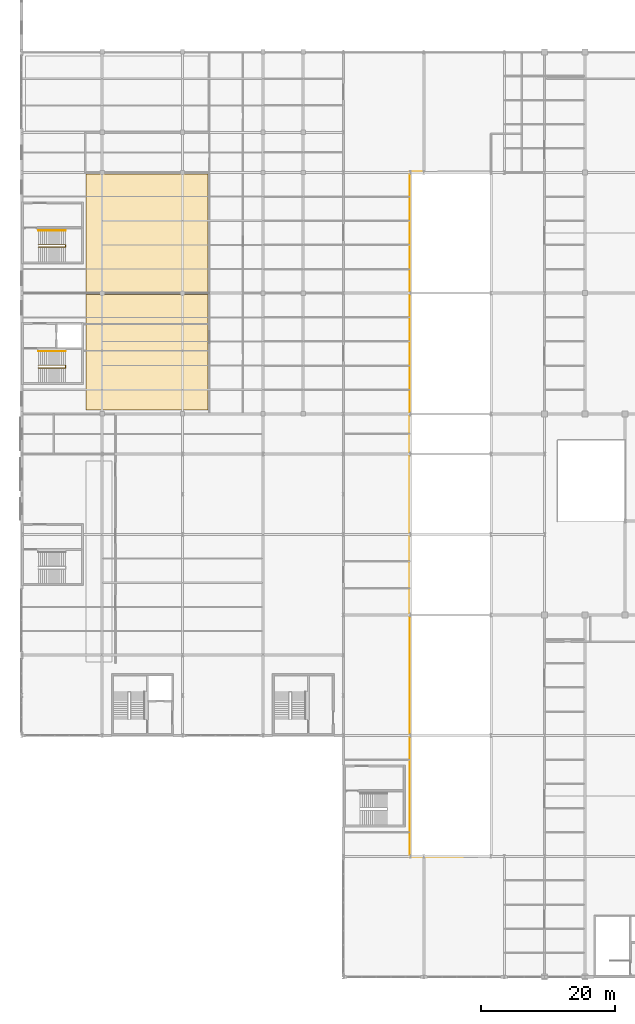
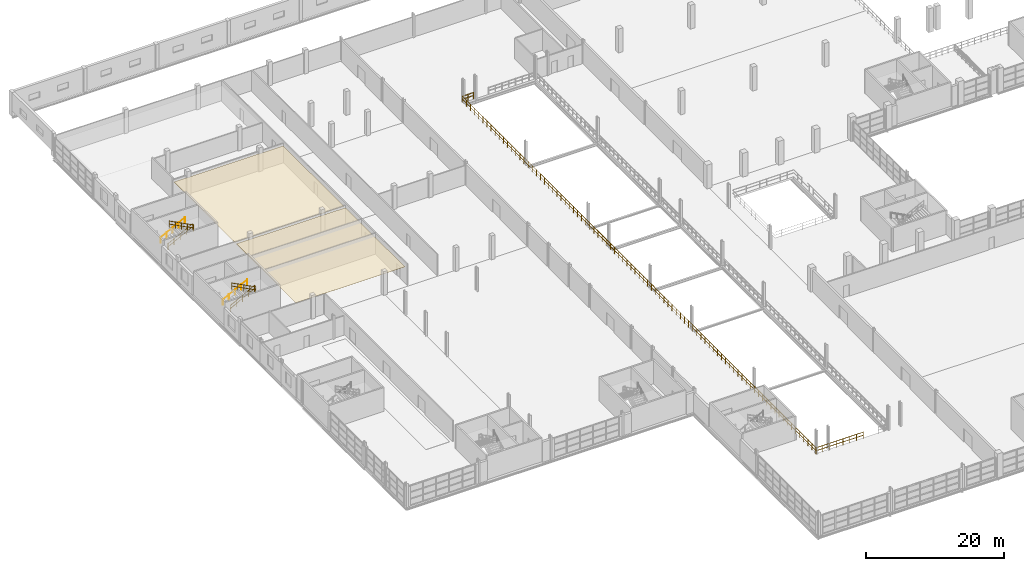
# One storey, part 154 of 158: 5 railings, 2 coverings.
"""IFC4 building model written with IfcOpenShell, lengths in metres."""

from ifc_helpers import new_model, si_unit, direction, frame, origin, origin_2d, place, context, subcontext, project, spatial, polyline, circle, outline, extrude, material, layer, layer_set, type_object, element, save


model = new_model("IFC4")

# Units and contexts
model_context = context("Model", 3, precision=1e-05, world=origin(), true_north=direction((0.0, 1.0)))
body_context = subcontext(model_context, "Body", "Model", "MODEL_VIEW")
ifc_project = project(units=[si_unit("LENGTHUNIT", "METRE"), si_unit("AREAUNIT", "SQUARE_METRE"), si_unit("VOLUMEUNIT", "CUBIC_METRE"), si_unit("PLANEANGLEUNIT", "RADIAN"), si_unit("MASSUNIT", "GRAM", prefix="KILO")], contexts=[model_context])

# Site, building, storey
site_placement = place(None, origin())
site = spatial("IfcSite", under=ifc_project, at=site_placement, CompositionType="ELEMENT")
building_placement = place(site_placement, origin())
building = spatial("IfcBuilding", under=site, at=building_placement, Name="Zilviju Railside Exhibition Hall", CompositionType="ELEMENT")
storey_placement = place(building_placement, frame((0.0, 0.0, 4.199951171875)))
storey = spatial("IfcBuildingStorey", under=building, at=storey_placement, Name="L02", CompositionType="ELEMENT", Elevation=4.199951171875)

# Coverings
ifc_material_1 = material(Name="Perforated gypsum and mineral-wool acoustic ceiling", Category="masonry")
ifc_layer = layer(ifc_material_1, 0.030029296875)
ifc_layer_set = layer_set([ifc_layer], Name="Perforated gypsum and mineral-wool acoustic ceiling")
covering_type = type_object("IfcCoveringType", Name="COV-CEIL-ACOUSTIC", PredefinedType="CEILING", material=ifc_layer_set)
covering_1_placement = place(storey_placement, frame((0.0, 0.0, 3.050048828125)))
element("IfcCovering", 1, at=covering_1_placement, inside=storey, type_object=covering_type, Name="Meeting Room 201 Acoustic Ceiling", PredefinedType="CEILING", context=body_context, shape_type="SweptSolid", body=[
    extrude(outline(polyline([(9.60009765625, 84.60009765625), (27.800048828125, 84.60009765625), (27.800048828125, 101.800048828125), (9.60009765625, 101.800048828125), (9.60009765625, 84.60009765625)])), origin(), (0.0, 0.0, 1.0), 0.030029296875),
])
covering_2_placement = place(storey_placement, frame((0.0, 0.0, 3.050048828125)))
element("IfcCovering", 2, at=covering_2_placement, inside=storey, type_object=covering_type, Name="Meeting Room 202 Acoustic Ceiling", PredefinedType="CEILING", context=body_context, shape_type="SweptSolid", body=[
    extrude(outline(polyline([(9.60009765625, 102.199951171875), (27.800048828125, 102.199951171875), (27.800048828125, 119.800048828125), (9.60009765625, 119.800048828125), (9.60009765625, 102.199951171875)])), origin(), (0.0, 0.0, 1.0), 0.030029296875),
])

# Railings
ifc_material_2 = material(Name="Brushed bronze tubular stair handrail", Category="steel")
railing_type_1 = type_object("IfcRailingType", Name="RL-HANDRAIL-920", PredefinedType="HANDRAIL", material=ifc_material_2)
for number, where, name in (
    (3, (2.5, 93.340087890625, 0.0), "Core C15 Organisers Wing South Stair Wall Handrail L02"),
    (4, (2.5, 111.360107421875, 0.0), "Core C16 Organisers Wing North Stair Wall Handrail L02"),
):
    element("IfcRailing", number, at=place(storey_placement, frame(where)), inside=storey, type_object=railing_type_1, Name=name, PredefinedType="HANDRAIL", context=body_context, shape_type="SweptSolid", body=[
        extrude(circle(Radius=0.02392578125, at=origin_2d()), frame((0.019287109375, 0.0, 0.906005859375), z_axis=(0.88681272381, 0.0, 0.462128978628), x_axis=(0.0, 1.0, 0.0)), (0.0, 0.0, 1.0), 4.500732421875),
        extrude(circle(Radius=0.02099609375, at=origin_2d()), origin(), (0.0, 0.0, 1.0), 0.919921875),
        extrude(circle(Radius=0.02099609375, at=origin_2d()), frame((1.007568359375, 0.0, 0.52490234375)), (0.0, 0.0, 1.0), 0.919921875),
        extrude(circle(Radius=0.02099609375, at=origin_2d()), frame((2.01513671875, 0.0, 1.050048828125)), (0.0, 0.0, 1.0), 0.919921875),
        extrude(circle(Radius=0.02099609375, at=origin_2d()), frame((3.0224609375, 0.0, 1.5751953125)), (0.0, 0.0, 1.0), 0.919921875),
        extrude(circle(Radius=0.02099609375, at=origin_2d()), frame((4.030029296875, 0.0, 2.10009765625)), (0.0, 0.0, 1.0), 0.919921875),
    ])
ifc_material_3 = material(Name="Wrought-iron and laminated-glass atrium guardrail", Category="glass")
railing_type_2 = type_object("IfcRailingType", Name="RL-INT-GUARD-1120", PredefinedType="GUARDRAIL", material=ifc_material_3)
railing_1_placement = place(storey_placement, frame((2.5, 91.25, 0.0)))
element("IfcRailing", 5, at=railing_1_placement, inside=storey, type_object=railing_type_2, Name="Core C15 Organisers Wing South Stair Well Guardrail L02", PredefinedType="GUARDRAIL", context=body_context, shape_type="SweptSolid", body=[
    extrude(circle(Radius=0.02392578125, at=origin_2d()), frame((0.019287109375, 0.0, 1.106201171875), z_axis=(0.88681272381, 0.0, 0.462128978628), x_axis=(0.0, 1.0, 0.0)), (0.0, 0.0, 1.0), 4.500732421875),
    extrude(circle(Radius=0.02392578125, at=origin_2d()), frame((0.019287109375, 0.0, 0.570068359375), z_axis=(0.88681272381, 0.0, 0.462128978628), x_axis=(0.0, 1.0, 0.0)), (0.0, 0.0, 1.0), 4.500732421875),
    extrude(circle(Radius=0.02392578125, at=origin_2d()), frame((4.030029296875, -0.021728515625, 3.1962890625), z_axis=(0.0, -1.0, 0.0), x_axis=(1.0, 0.0, 0.0)), (0.0, 0.0, 1.0), 0.356201171875),
    extrude(circle(Radius=0.02392578125, at=origin_2d()), frame((4.030029296875, -0.021728515625, 2.66015625), z_axis=(0.0, -1.0, 0.0), x_axis=(1.0, 0.0, 0.0)), (0.0, 0.0, 1.0), 0.356201171875),
    extrude(circle(Radius=0.02392578125, at=origin_2d()), frame((4.0107421875, -0.39990234375, 3.206298828125), z_axis=(-0.886834740388, 0.0, 0.462086726969), x_axis=(0.0, -1.0, 0.0)), (0.0, 0.0, 1.0), 4.500732421875),
    extrude(circle(Radius=0.02392578125, at=origin_2d()), frame((4.0107421875, -0.39990234375, 2.670166015625), z_axis=(-0.886834740388, 0.0, 0.462086726969), x_axis=(0.0, -1.0, 0.0)), (0.0, 0.0, 1.0), 4.500732421875),
    extrude(circle(Radius=0.02099609375, at=origin_2d()), origin(), (0.0, 0.0, 1.0), 1.1201171875),
    extrude(circle(Radius=0.02099609375, at=origin_2d()), frame((1.007568359375, 0.0, 0.52490234375)), (0.0, 0.0, 1.0), 1.1201171875),
    extrude(circle(Radius=0.02099609375, at=origin_2d()), frame((2.01513671875, 0.0, 1.050048828125)), (0.0, 0.0, 1.0), 1.1201171875),
    extrude(circle(Radius=0.02099609375, at=origin_2d()), frame((3.0224609375, 0.0, 1.5751953125)), (0.0, 0.0, 1.0), 1.1201171875),
    extrude(circle(Radius=0.02099609375, at=origin_2d()), frame((4.030029296875, 0.0, 2.10009765625)), (0.0, 0.0, 1.0), 1.1201171875),
    extrude(circle(Radius=0.02099609375, at=origin_2d()), frame((4.030029296875, -0.39990234375, 2.10009765625)), (0.0, 0.0, 1.0), 1.1201171875),
    extrude(circle(Radius=0.02099609375, at=origin_2d()), frame((3.0224609375, -0.39990234375, 2.625)), (0.0, 0.0, 1.0), 1.1201171875),
    extrude(circle(Radius=0.02099609375, at=origin_2d()), frame((2.01513671875, -0.39990234375, 3.14990234375)), (0.0, 0.0, 1.0), 1.1201171875),
    extrude(circle(Radius=0.02099609375, at=origin_2d()), frame((1.007568359375, -0.39990234375, 3.675048828125)), (0.0, 0.0, 1.0), 1.1201171875),
    extrude(circle(Radius=0.02099609375, at=origin_2d()), frame((0.0, -0.39990234375, 4.199951171875)), (0.0, 0.0, 1.0), 1.1201171875),
])
railing_2_placement = place(storey_placement, frame((2.5, 109.22998046875, 0.0)))
element("IfcRailing", 6, at=railing_2_placement, inside=storey, type_object=railing_type_2, Name="Core C16 Organisers Wing North Stair Well Guardrail L02", PredefinedType="GUARDRAIL", context=body_context, shape_type="SweptSolid", body=[
    extrude(circle(Radius=0.02392578125, at=origin_2d()), frame((0.019287109375, 0.0, 1.106201171875), z_axis=(0.88681272381, 0.0, 0.462128978628), x_axis=(0.0, 1.0, 0.0)), (0.0, 0.0, 1.0), 4.500732421875),
    extrude(circle(Radius=0.02392578125, at=origin_2d()), frame((0.019287109375, 0.0, 0.570068359375), z_axis=(0.88681272381, 0.0, 0.462128978628), x_axis=(0.0, 1.0, 0.0)), (0.0, 0.0, 1.0), 4.500732421875),
    extrude(circle(Radius=0.02392578125, at=origin_2d()), frame((4.030029296875, -0.021728515625, 3.1962890625), z_axis=(0.0, -1.0, 0.0), x_axis=(1.0, 0.0, 0.0)), (0.0, 0.0, 1.0), 0.316162109375),
    extrude(circle(Radius=0.02392578125, at=origin_2d()), frame((4.030029296875, -0.021728515625, 2.66015625), z_axis=(0.0, -1.0, 0.0), x_axis=(1.0, 0.0, 0.0)), (0.0, 0.0, 1.0), 0.316162109375),
    extrude(circle(Radius=0.02392578125, at=origin_2d()), frame((4.0107421875, -0.35986328125, 3.206298828125), z_axis=(-0.886834740388, 0.0, 0.462086726969), x_axis=(0.0, -1.0, 0.0)), (0.0, 0.0, 1.0), 4.500732421875),
    extrude(circle(Radius=0.02392578125, at=origin_2d()), frame((4.0107421875, -0.35986328125, 2.670166015625), z_axis=(-0.886834740388, 0.0, 0.462086726969), x_axis=(0.0, -1.0, 0.0)), (0.0, 0.0, 1.0), 4.500732421875),
    extrude(circle(Radius=0.02099609375, at=origin_2d()), origin(), (0.0, 0.0, 1.0), 1.1201171875),
    extrude(circle(Radius=0.02099609375, at=origin_2d()), frame((1.007568359375, 0.0, 0.52490234375)), (0.0, 0.0, 1.0), 1.1201171875),
    extrude(circle(Radius=0.02099609375, at=origin_2d()), frame((2.01513671875, 0.0, 1.050048828125)), (0.0, 0.0, 1.0), 1.1201171875),
    extrude(circle(Radius=0.02099609375, at=origin_2d()), frame((3.0224609375, 0.0, 1.5751953125)), (0.0, 0.0, 1.0), 1.1201171875),
    extrude(circle(Radius=0.02099609375, at=origin_2d()), frame((4.030029296875, 0.0, 2.10009765625)), (0.0, 0.0, 1.0), 1.1201171875),
    extrude(circle(Radius=0.02099609375, at=origin_2d()), frame((4.030029296875, -0.35986328125, 2.10009765625)), (0.0, 0.0, 1.0), 1.1201171875),
    extrude(circle(Radius=0.02099609375, at=origin_2d()), frame((3.0224609375, -0.35986328125, 2.625)), (0.0, 0.0, 1.0), 1.1201171875),
    extrude(circle(Radius=0.02099609375, at=origin_2d()), frame((2.01513671875, -0.35986328125, 3.14990234375)), (0.0, 0.0, 1.0), 1.1201171875),
    extrude(circle(Radius=0.02099609375, at=origin_2d()), frame((1.007568359375, -0.35986328125, 3.675048828125)), (0.0, 0.0, 1.0), 1.1201171875),
    extrude(circle(Radius=0.02099609375, at=origin_2d()), frame((0.0, -0.35986328125, 4.199951171875)), (0.0, 0.0, 1.0), 1.1201171875),
])
railing_3_placement = place(storey_placement, frame((59.75, 120.1201171875, 0.0)))
element("IfcRailing", 7, at=railing_3_placement, inside=storey, type_object=railing_type_2, Name="Interior Atrium & Gallery Guardrail V3-ATR-W", PredefinedType="GUARDRAIL", context=body_context, shape_type="SweptSolid", body=[
    extrude(circle(Radius=0.02392578125, at=origin_2d()), frame((-0.021728515625, 0.0, 1.09619140625), z_axis=(-1.0, 0.0, 0.0), x_axis=(0.0, -1.0, 0.0)), (0.0, 0.0, 1.0), 1.826416015625),
    extrude(circle(Radius=0.02392578125, at=origin_2d()), frame((-0.021728515625, 0.0, 0.56005859375), z_axis=(-1.0, 0.0, 0.0), x_axis=(0.0, -1.0, 0.0)), (0.0, 0.0, 1.0), 1.826416015625),
    extrude(circle(Radius=0.02392578125, at=origin_2d()), frame((-1.8701171875, -0.021728515625, 1.09619140625), z_axis=(0.0, -1.0, 0.0), x_axis=(1.0, 0.0, 0.0)), (0.0, 0.0, 1.0), 102.196533203125),
    extrude(circle(Radius=0.02392578125, at=origin_2d()), frame((-1.8701171875, -0.021728515625, 0.56005859375), z_axis=(0.0, -1.0, 0.0), x_axis=(1.0, 0.0, 0.0)), (0.0, 0.0, 1.0), 102.196533203125),
    extrude(circle(Radius=0.02392578125, at=origin_2d()), frame((-1.848388671875, -102.240234375, 1.09619140625), z_axis=(1.0, 0.0, 0.0), x_axis=(0.0, 1.0, 0.0)), (0.0, 0.0, 1.0), 7.826416015625),
    extrude(circle(Radius=0.02392578125, at=origin_2d()), frame((-1.848388671875, -102.240234375, 0.56005859375), z_axis=(1.0, 0.0, 0.0), x_axis=(0.0, 1.0, 0.0)), (0.0, 0.0, 1.0), 7.826416015625),
    extrude(circle(Radius=0.02099609375, at=origin_2d()), origin(), (0.0, 0.0, 1.0), 1.1201171875),
    extrude(circle(Radius=0.02099609375, at=origin_2d()), frame((-0.93505859375, 0.0, 0.0)), (0.0, 0.0, 1.0), 1.1201171875),
    extrude(circle(Radius=0.02099609375, at=origin_2d()), frame((-1.8701171875, 0.0, 0.0)), (0.0, 0.0, 1.0), 1.1201171875),
    extrude(circle(Radius=0.02099609375, at=origin_2d()), frame((-1.8701171875, -1.188720703125, 0.0)), (0.0, 0.0, 1.0), 1.1201171875),
    extrude(circle(Radius=0.02099609375, at=origin_2d()), frame((-1.8701171875, -2.377685546875, 0.0)), (0.0, 0.0, 1.0), 1.1201171875),
    extrude(circle(Radius=0.02099609375, at=origin_2d()), frame((-1.8701171875, -3.56640625, 0.0)), (0.0, 0.0, 1.0), 1.1201171875),
    extrude(circle(Radius=0.02099609375, at=origin_2d()), frame((-1.8701171875, -4.75537109375, 0.0)), (0.0, 0.0, 1.0), 1.1201171875),
    extrude(circle(Radius=0.02099609375, at=origin_2d()), frame((-1.8701171875, -5.944091796875, 0.0)), (0.0, 0.0, 1.0), 1.1201171875),
    extrude(circle(Radius=0.02099609375, at=origin_2d()), frame((-1.8701171875, -7.133056640625, 0.0)), (0.0, 0.0, 1.0), 1.1201171875),
    extrude(circle(Radius=0.02099609375, at=origin_2d()), frame((-1.8701171875, -8.32177734375, 0.0)), (0.0, 0.0, 1.0), 1.1201171875),
    extrude(circle(Radius=0.02099609375, at=origin_2d()), frame((-1.8701171875, -9.5107421875, 0.0)), (0.0, 0.0, 1.0), 1.1201171875),
    extrude(circle(Radius=0.02099609375, at=origin_2d()), frame((-1.8701171875, -10.699462890625, 0.0)), (0.0, 0.0, 1.0), 1.1201171875),
    extrude(circle(Radius=0.02099609375, at=origin_2d()), frame((-1.8701171875, -11.888427734375, 0.0)), (0.0, 0.0, 1.0), 1.1201171875),
    extrude(circle(Radius=0.02099609375, at=origin_2d()), frame((-1.8701171875, -13.0771484375, 0.0)), (0.0, 0.0, 1.0), 1.1201171875),
    extrude(circle(Radius=0.02099609375, at=origin_2d()), frame((-1.8701171875, -14.26611328125, 0.0)), (0.0, 0.0, 1.0), 1.1201171875),
    extrude(circle(Radius=0.02099609375, at=origin_2d()), frame((-1.8701171875, -15.454833984375, 0.0)), (0.0, 0.0, 1.0), 1.1201171875),
    extrude(circle(Radius=0.02099609375, at=origin_2d()), frame((-1.8701171875, -16.643798828125, 0.0)), (0.0, 0.0, 1.0), 1.1201171875),
    extrude(circle(Radius=0.02099609375, at=origin_2d()), frame((-1.8701171875, -17.83251953125, 0.0)), (0.0, 0.0, 1.0), 1.1201171875),
    extrude(circle(Radius=0.02099609375, at=origin_2d()), frame((-1.8701171875, -19.021484375, 0.0)), (0.0, 0.0, 1.0), 1.1201171875),
    extrude(circle(Radius=0.02099609375, at=origin_2d()), frame((-1.8701171875, -20.210205078125, 0.0)), (0.0, 0.0, 1.0), 1.1201171875),
    extrude(circle(Radius=0.02099609375, at=origin_2d()), frame((-1.8701171875, -21.399169921875, 0.0)), (0.0, 0.0, 1.0), 1.1201171875),
    extrude(circle(Radius=0.02099609375, at=origin_2d()), frame((-1.8701171875, -22.587890625, 0.0)), (0.0, 0.0, 1.0), 1.1201171875),
    extrude(circle(Radius=0.02099609375, at=origin_2d()), frame((-1.8701171875, -23.77685546875, 0.0)), (0.0, 0.0, 1.0), 1.1201171875),
    extrude(circle(Radius=0.02099609375, at=origin_2d()), frame((-1.8701171875, -24.965576171875, 0.0)), (0.0, 0.0, 1.0), 1.1201171875),
    extrude(circle(Radius=0.02099609375, at=origin_2d()), frame((-1.8701171875, -26.154541015625, 0.0)), (0.0, 0.0, 1.0), 1.1201171875),
    extrude(circle(Radius=0.02099609375, at=origin_2d()), frame((-1.8701171875, -27.34326171875, 0.0)), (0.0, 0.0, 1.0), 1.1201171875),
    extrude(circle(Radius=0.02099609375, at=origin_2d()), frame((-1.8701171875, -28.5322265625, 0.0)), (0.0, 0.0, 1.0), 1.1201171875),
    extrude(circle(Radius=0.02099609375, at=origin_2d()), frame((-1.8701171875, -29.720947265625, 0.0)), (0.0, 0.0, 1.0), 1.1201171875),
    extrude(circle(Radius=0.02099609375, at=origin_2d()), frame((-1.8701171875, -30.909912109375, 0.0)), (0.0, 0.0, 1.0), 1.1201171875),
    extrude(circle(Radius=0.02099609375, at=origin_2d()), frame((-1.8701171875, -32.0986328125, 0.0)), (0.0, 0.0, 1.0), 1.1201171875),
    extrude(circle(Radius=0.02099609375, at=origin_2d()), frame((-1.8701171875, -33.28759765625, 0.0)), (0.0, 0.0, 1.0), 1.1201171875),
    extrude(circle(Radius=0.02099609375, at=origin_2d()), frame((-1.8701171875, -34.476318359375, 0.0)), (0.0, 0.0, 1.0), 1.1201171875),
    extrude(circle(Radius=0.02099609375, at=origin_2d()), frame((-1.8701171875, -35.665283203125, 0.0)), (0.0, 0.0, 1.0), 1.1201171875),
    extrude(circle(Radius=0.02099609375, at=origin_2d()), frame((-1.8701171875, -36.85400390625, 0.0)), (0.0, 0.0, 1.0), 1.1201171875),
    extrude(circle(Radius=0.02099609375, at=origin_2d()), frame((-1.8701171875, -38.04296875, 0.0)), (0.0, 0.0, 1.0), 1.1201171875),
    extrude(circle(Radius=0.02099609375, at=origin_2d()), frame((-1.8701171875, -39.231689453125, 0.0)), (0.0, 0.0, 1.0), 1.1201171875),
    extrude(circle(Radius=0.02099609375, at=origin_2d()), frame((-1.8701171875, -40.420654296875, 0.0)), (0.0, 0.0, 1.0), 1.1201171875),
    extrude(circle(Radius=0.02099609375, at=origin_2d()), frame((-1.8701171875, -41.609375, 0.0)), (0.0, 0.0, 1.0), 1.1201171875),
    extrude(circle(Radius=0.02099609375, at=origin_2d()), frame((-1.8701171875, -42.79833984375, 0.0)), (0.0, 0.0, 1.0), 1.1201171875),
    extrude(circle(Radius=0.02099609375, at=origin_2d()), frame((-1.8701171875, -43.987060546875, 0.0)), (0.0, 0.0, 1.0), 1.1201171875),
    extrude(circle(Radius=0.02099609375, at=origin_2d()), frame((-1.8701171875, -45.176025390625, 0.0)), (0.0, 0.0, 1.0), 1.1201171875),
    extrude(circle(Radius=0.02099609375, at=origin_2d()), frame((-1.8701171875, -46.36474609375, 0.0)), (0.0, 0.0, 1.0), 1.1201171875),
    extrude(circle(Radius=0.02099609375, at=origin_2d()), frame((-1.8701171875, -47.5537109375, 0.0)), (0.0, 0.0, 1.0), 1.1201171875),
    extrude(circle(Radius=0.02099609375, at=origin_2d()), frame((-1.8701171875, -48.742431640625, 0.0)), (0.0, 0.0, 1.0), 1.1201171875),
    extrude(circle(Radius=0.02099609375, at=origin_2d()), frame((-1.8701171875, -49.931396484375, 0.0)), (0.0, 0.0, 1.0), 1.1201171875),
    extrude(circle(Radius=0.02099609375, at=origin_2d()), frame((-1.8701171875, -51.1201171875, 0.0)), (0.0, 0.0, 1.0), 1.1201171875),
    extrude(circle(Radius=0.02099609375, at=origin_2d()), frame((-1.8701171875, -52.308837890625, 0.0)), (0.0, 0.0, 1.0), 1.1201171875),
    extrude(circle(Radius=0.02099609375, at=origin_2d()), frame((-1.8701171875, -53.497802734375, 0.0)), (0.0, 0.0, 1.0), 1.1201171875),
    extrude(circle(Radius=0.02099609375, at=origin_2d()), frame((-1.8701171875, -54.6865234375, 0.0)), (0.0, 0.0, 1.0), 1.1201171875),
    extrude(circle(Radius=0.02099609375, at=origin_2d()), frame((-1.8701171875, -55.87548828125, 0.0)), (0.0, 0.0, 1.0), 1.1201171875),
    extrude(circle(Radius=0.02099609375, at=origin_2d()), frame((-1.8701171875, -57.064208984375, 0.0)), (0.0, 0.0, 1.0), 1.1201171875),
    extrude(circle(Radius=0.02099609375, at=origin_2d()), frame((-1.8701171875, -58.253173828125, 0.0)), (0.0, 0.0, 1.0), 1.1201171875),
    extrude(circle(Radius=0.02099609375, at=origin_2d()), frame((-1.8701171875, -59.44189453125, 0.0)), (0.0, 0.0, 1.0), 1.1201171875),
    extrude(circle(Radius=0.02099609375, at=origin_2d()), frame((-1.8701171875, -60.630859375, 0.0)), (0.0, 0.0, 1.0), 1.1201171875),
    extrude(circle(Radius=0.02099609375, at=origin_2d()), frame((-1.8701171875, -61.819580078125, 0.0)), (0.0, 0.0, 1.0), 1.1201171875),
    extrude(circle(Radius=0.02099609375, at=origin_2d()), frame((-1.8701171875, -63.008544921875, 0.0)), (0.0, 0.0, 1.0), 1.1201171875),
    extrude(circle(Radius=0.02099609375, at=origin_2d()), frame((-1.8701171875, -64.197265625, 0.0)), (0.0, 0.0, 1.0), 1.1201171875),
    extrude(circle(Radius=0.02099609375, at=origin_2d()), frame((-1.8701171875, -65.38623046875, 0.0)), (0.0, 0.0, 1.0), 1.1201171875),
    extrude(circle(Radius=0.02099609375, at=origin_2d()), frame((-1.8701171875, -66.574951171875, 0.0)), (0.0, 0.0, 1.0), 1.1201171875),
    extrude(circle(Radius=0.02099609375, at=origin_2d()), frame((-1.8701171875, -67.763916015625, 0.0)), (0.0, 0.0, 1.0), 1.1201171875),
    extrude(circle(Radius=0.02099609375, at=origin_2d()), frame((-1.8701171875, -68.95263671875, 0.0)), (0.0, 0.0, 1.0), 1.1201171875),
    extrude(circle(Radius=0.02099609375, at=origin_2d()), frame((-1.8701171875, -70.1416015625, 0.0)), (0.0, 0.0, 1.0), 1.1201171875),
    extrude(circle(Radius=0.02099609375, at=origin_2d()), frame((-1.8701171875, -71.330322265625, 0.0)), (0.0, 0.0, 1.0), 1.1201171875),
    extrude(circle(Radius=0.02099609375, at=origin_2d()), frame((-1.8701171875, -72.519287109375, 0.0)), (0.0, 0.0, 1.0), 1.1201171875),
    extrude(circle(Radius=0.02099609375, at=origin_2d()), frame((-1.8701171875, -73.7080078125, 0.0)), (0.0, 0.0, 1.0), 1.1201171875),
    extrude(circle(Radius=0.02099609375, at=origin_2d()), frame((-1.8701171875, -74.89697265625, 0.0)), (0.0, 0.0, 1.0), 1.1201171875),
    extrude(circle(Radius=0.02099609375, at=origin_2d()), frame((-1.8701171875, -76.085693359375, 0.0)), (0.0, 0.0, 1.0), 1.1201171875),
    extrude(circle(Radius=0.02099609375, at=origin_2d()), frame((-1.8701171875, -77.274658203125, 0.0)), (0.0, 0.0, 1.0), 1.1201171875),
    extrude(circle(Radius=0.02099609375, at=origin_2d()), frame((-1.8701171875, -78.46337890625, 0.0)), (0.0, 0.0, 1.0), 1.1201171875),
    extrude(circle(Radius=0.02099609375, at=origin_2d()), frame((-1.8701171875, -79.65234375, 0.0)), (0.0, 0.0, 1.0), 1.1201171875),
    extrude(circle(Radius=0.02099609375, at=origin_2d()), frame((-1.8701171875, -80.841064453125, 0.0)), (0.0, 0.0, 1.0), 1.1201171875),
    extrude(circle(Radius=0.02099609375, at=origin_2d()), frame((-1.8701171875, -82.030029296875, 0.0)), (0.0, 0.0, 1.0), 1.1201171875),
    extrude(circle(Radius=0.02099609375, at=origin_2d()), frame((-1.8701171875, -83.21875, 0.0)), (0.0, 0.0, 1.0), 1.1201171875),
    extrude(circle(Radius=0.02099609375, at=origin_2d()), frame((-1.8701171875, -84.40771484375, 0.0)), (0.0, 0.0, 1.0), 1.1201171875),
    extrude(circle(Radius=0.02099609375, at=origin_2d()), frame((-1.8701171875, -85.596435546875, 0.0)), (0.0, 0.0, 1.0), 1.1201171875),
    extrude(circle(Radius=0.02099609375, at=origin_2d()), frame((-1.8701171875, -86.785400390625, 0.0)), (0.0, 0.0, 1.0), 1.1201171875),
    extrude(circle(Radius=0.02099609375, at=origin_2d()), frame((-1.8701171875, -87.97412109375, 0.0)), (0.0, 0.0, 1.0), 1.1201171875),
    extrude(circle(Radius=0.02099609375, at=origin_2d()), frame((-1.8701171875, -89.1630859375, 0.0)), (0.0, 0.0, 1.0), 1.1201171875),
    extrude(circle(Radius=0.02099609375, at=origin_2d()), frame((-1.8701171875, -90.351806640625, 0.0)), (0.0, 0.0, 1.0), 1.1201171875),
    extrude(circle(Radius=0.02099609375, at=origin_2d()), frame((-1.8701171875, -91.540771484375, 0.0)), (0.0, 0.0, 1.0), 1.1201171875),
    extrude(circle(Radius=0.02099609375, at=origin_2d()), frame((-1.8701171875, -92.7294921875, 0.0)), (0.0, 0.0, 1.0), 1.1201171875),
    extrude(circle(Radius=0.02099609375, at=origin_2d()), frame((-1.8701171875, -93.91845703125, 0.0)), (0.0, 0.0, 1.0), 1.1201171875),
    extrude(circle(Radius=0.02099609375, at=origin_2d()), frame((-1.8701171875, -95.107177734375, 0.0)), (0.0, 0.0, 1.0), 1.1201171875),
    extrude(circle(Radius=0.02099609375, at=origin_2d()), frame((-1.8701171875, -96.296142578125, 0.0)), (0.0, 0.0, 1.0), 1.1201171875),
    extrude(circle(Radius=0.02099609375, at=origin_2d()), frame((-1.8701171875, -97.48486328125, 0.0)), (0.0, 0.0, 1.0), 1.1201171875),
    extrude(circle(Radius=0.02099609375, at=origin_2d()), frame((-1.8701171875, -98.673828125, 0.0)), (0.0, 0.0, 1.0), 1.1201171875),
    extrude(circle(Radius=0.02099609375, at=origin_2d()), frame((-1.8701171875, -99.862548828125, 0.0)), (0.0, 0.0, 1.0), 1.1201171875),
    extrude(circle(Radius=0.02099609375, at=origin_2d()), frame((-1.8701171875, -101.051513671875, 0.0)), (0.0, 0.0, 1.0), 1.1201171875),
    extrude(circle(Radius=0.02099609375, at=origin_2d()), frame((-1.8701171875, -102.240234375, 0.0)), (0.0, 0.0, 1.0), 1.1201171875),
    extrude(circle(Radius=0.02099609375, at=origin_2d()), frame((-0.745849609375, -102.240234375, 0.0)), (0.0, 0.0, 1.0), 1.1201171875),
    extrude(circle(Radius=0.02099609375, at=origin_2d()), frame((0.37841796875, -102.240234375, 0.0)), (0.0, 0.0, 1.0), 1.1201171875),
    extrude(circle(Radius=0.02099609375, at=origin_2d()), frame((1.502685546875, -102.240234375, 0.0)), (0.0, 0.0, 1.0), 1.1201171875),
    extrude(circle(Radius=0.02099609375, at=origin_2d()), frame((2.627197265625, -102.240234375, 0.0)), (0.0, 0.0, 1.0), 1.1201171875),
    extrude(circle(Radius=0.02099609375, at=origin_2d()), frame((3.75146484375, -102.240234375, 0.0)), (0.0, 0.0, 1.0), 1.1201171875),
    extrude(circle(Radius=0.02099609375, at=origin_2d()), frame((4.875732421875, -102.240234375, 0.0)), (0.0, 0.0, 1.0), 1.1201171875),
    extrude(circle(Radius=0.02099609375, at=origin_2d()), frame((6.0, -102.240234375, 0.0)), (0.0, 0.0, 1.0), 1.1201171875),
])

save(model, "model.ifc")
